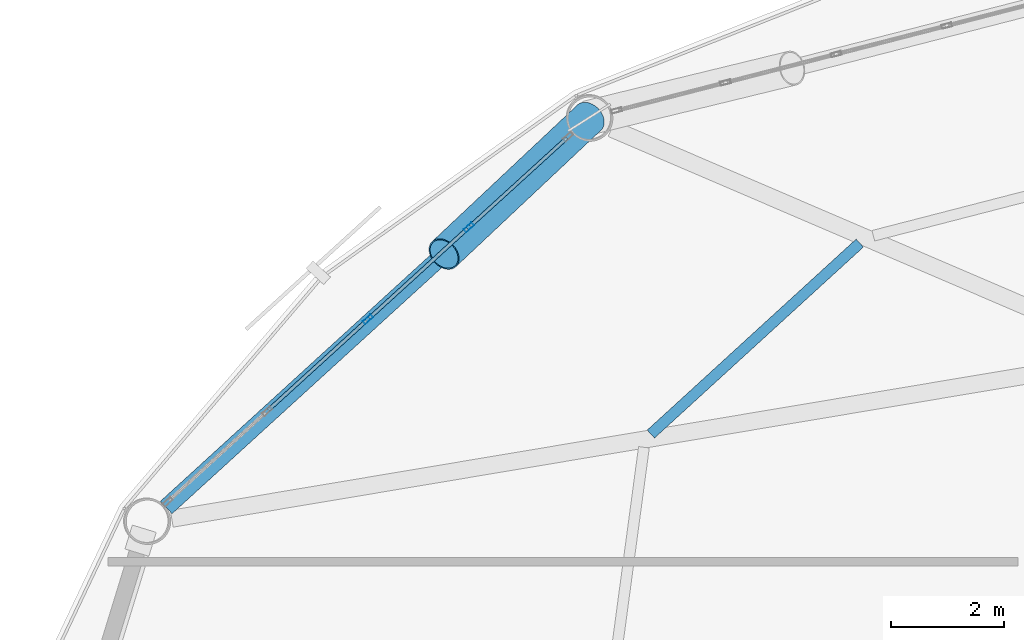
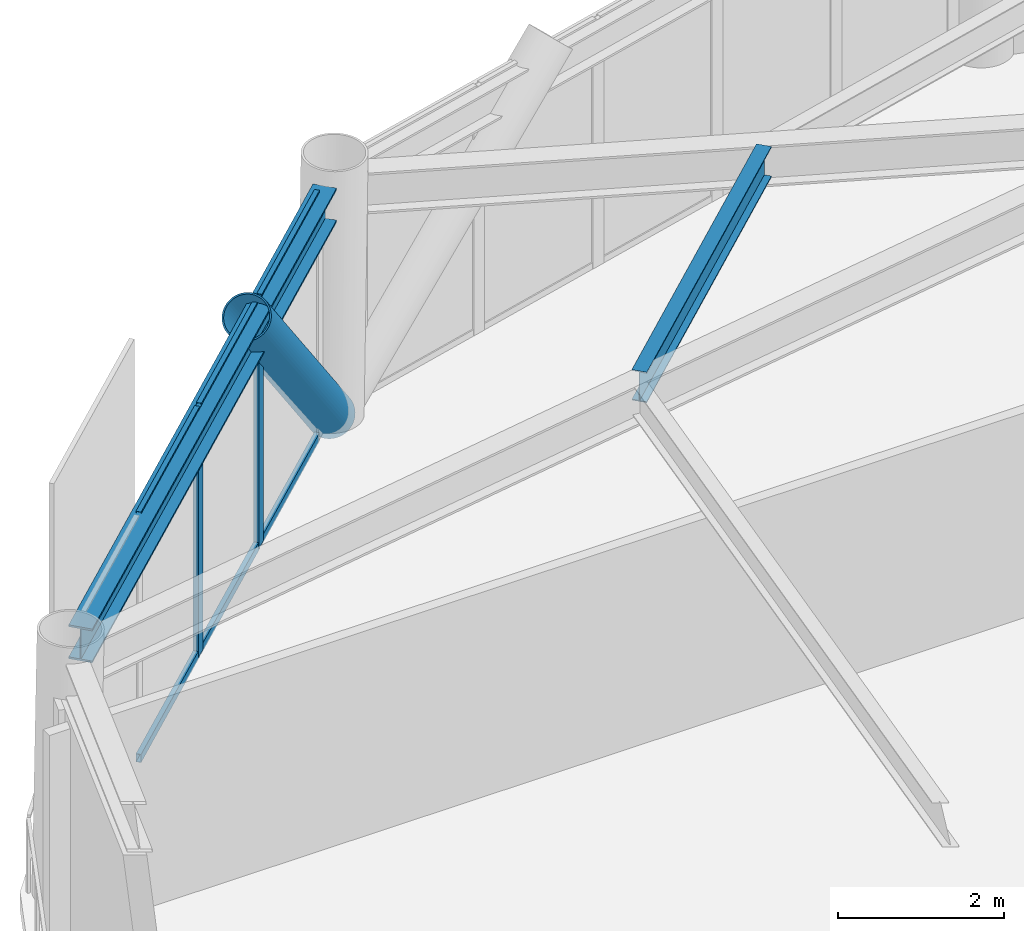
# One storey, part 15 of 24: 9 members, 2 beams, 1 element without a shape of its own.
"""IFC4 building model written with IfcOpenShell, lengths in metres."""

from ifc_helpers import new_model, si_unit, direction, frame, origin, origin_2d, place, context, subcontext, project, spatial, hollow_rectangle, hollow_circle, i_section, extrude, material, layer, layer_set, material_profile, profile_set, type_object, element, aggregate, save


model = new_model("IFC4")

# Units and contexts
model_context = context("Model", 3, precision=1e-05, world=origin(), true_north=direction((0.0, 1.0)))
body_context = subcontext(model_context, "Body", "Model", "MODEL_VIEW")
ifc_project = project(units=[si_unit("LENGTHUNIT", "METRE"), si_unit("AREAUNIT", "SQUARE_METRE"), si_unit("VOLUMEUNIT", "CUBIC_METRE"), si_unit("PLANEANGLEUNIT", "RADIAN"), si_unit("MASSUNIT", "GRAM", prefix="KILO")], contexts=[model_context])

# Site, building, storey
site_placement = place(None, origin())
site = spatial("IfcSite", under=ifc_project, at=site_placement, CompositionType="ELEMENT")
building_placement = place(site_placement, origin())
building = spatial("IfcBuilding", under=site, at=building_placement, Name="Varnakorn Sky Granary", CompositionType="ELEMENT")
storey_placement = place(building_placement, frame((0.0, 0.0, 111.0)))
storey = spatial("IfcBuildingStorey", under=building, at=storey_placement, Name="L27", CompositionType="ELEMENT", Elevation=111.0)

# Beams
ifc_material_1 = material(Name="Steel S355JR", Category="steel")
ifc_material_profile_1 = material_profile(ifc_material_1, i_section(OverallWidth=0.18994140625, OverallDepth=0.449951171875, WebThickness=0.009521484375, FlangeThickness=0.0146484375, at=origin_2d()), Name="IPE 450")
ifc_profile_set_1 = profile_set([ifc_material_profile_1], Name="Steel S355JR")
beam_type_1 = type_object("IfcBeamType", Name="BM-SEC-Z2", PredefinedType="BEAM", material=ifc_profile_set_1)
beam_1_placement = place(storey_placement, frame((-7.388427734375, 14.61376953125, 3.4150390625), z_axis=(-0.738126274963, -0.67466258397, 0.0), x_axis=(0.67466258397, -0.738126274963, 0.0)))
element("IfcBeam", 1, at=beam_1_placement, inside=storey, type_object=beam_type_1, Name="Secondary Floor Chord Beam MSB05 L27", PredefinedType="BEAM", context=body_context, shape_type="SweptSolid", body=[
    extrude(i_section(OverallWidth=0.18994140625, OverallDepth=0.449951171875, WebThickness=0.009521484375, FlangeThickness=0.0146484375, at=origin_2d()), origin(), (0.0, 0.0, 1.0), 4.989501953125),
])
ifc_material_profile_2 = material_profile(ifc_material_1, i_section(OverallWidth=0.300048828125, OverallDepth=0.5, WebThickness=0.014404296875, FlangeThickness=0.028076171875, at=origin_2d()), Name="HE 500 B")
ifc_profile_set_2 = profile_set([ifc_material_profile_2], Name="Steel S355JR")
beam_type_2 = type_object("IfcBeamType", Name="BM-SPD-Z2", PredefinedType="SPANDREL", material=ifc_profile_set_2)
beam_2_placement = place(storey_placement, frame((-12.4130859375, 16.521484375, 3.389892578125), z_axis=(-0.738808701246, -0.673915204579, 0.0), x_axis=(0.673915204579, -0.738808701246, 0.0)))
element("IfcBeam", 2, at=beam_2_placement, inside=storey, type_object=beam_type_2, Name="Perimeter Spandrel Ring Beam RB05 L27", PredefinedType="SPANDREL", context=body_context, shape_type="SweptSolid", body=[
    extrude(i_section(OverallWidth=0.300048828125, OverallDepth=0.5, WebThickness=0.014404296875, FlangeThickness=0.028076171875, at=origin_2d()), origin(), (0.0, 0.0, 1.0), 9.744140625),
])

# Curtain wall, members
ifc_material_2 = material(Name="Anodised Bronze Aluminium Alloy 6063-T6", Category="aluminium")
ifc_layer = layer(ifc_material_2, 0.179931640625, Name="Anodised Bronze Aluminium Alloy 6063-T6")
ifc_layer_set = layer_set([ifc_layer], Name="Anodised Bronze Aluminium Alloy 6063-T6")
curtain_wall_type = type_object("IfcCurtainWallType", Name="CW-FRM-2", PredefinedType="USERDEFINED", material=ifc_layer_set)
curtain_wall_placement = place(storey_placement, origin())
curtain_wall = element("IfcCurtainWall", 3, at=curtain_wall_placement, inside=storey, type_object=curtain_wall_type, Name="Unitised Curtain Wall CW4 CW-L27-B05", ObjectType="CURTAIN WALL", PredefinedType="USERDEFINED")
ifc_material_profile_3 = material_profile(ifc_material_2, hollow_rectangle(XDim=0.070068359375, YDim=0.18505859375, WallThickness=0.00390625, at=origin_2d()), Name="ALU MULL 70x185")
ifc_profile_set_3 = profile_set([ifc_material_profile_3], Name="Anodised Bronze Aluminium Alloy 6063-T6")
member_type_1 = type_object("IfcMemberType", Name="CW-FRM-2-MULL", PredefinedType="MULLION", material=ifc_profile_set_3)
member_1_placement = place(storey_placement, frame((-16.058349609375, 13.270263671875, 0.0), z_axis=(0.0, 0.0, 1.0), x_axis=(-0.673654386152, 0.739046526287, 0.0)))
member_1 = element("IfcMember", 4, at=member_1_placement, type_object=member_type_1, Name="CW4 mullion 3", PredefinedType="MULLION", context=body_context, shape_type="SweptSolid", body=[
    extrude(hollow_rectangle(XDim=0.070068359375, YDim=0.18505859375, WallThickness=0.00390625, at=origin_2d()), origin(), (0.0, 0.0, 1.0), 3.639892578125),
])
member_2_placement = place(storey_placement, frame((-14.2802734375, 14.890869140625, 0.0), z_axis=(0.0, 0.0, 1.0), x_axis=(-0.673654386152, 0.739046526287, 0.0)))
member_2 = element("IfcMember", 5, at=member_2_placement, type_object=member_type_1, Name="CW4 mullion 4", PredefinedType="MULLION", context=body_context, shape_type="SweptSolid", body=[
    extrude(hollow_rectangle(XDim=0.070068359375, YDim=0.18505859375, WallThickness=0.00390625, at=origin_2d()), origin(), (0.0, 0.0, 1.0), 3.639892578125),
])
ifc_material_profile_4 = material_profile(ifc_material_2, hollow_rectangle(XDim=0.06494140625, YDim=0.1201171875, WallThickness=0.00341796875, at=origin_2d()), Name="ALU TRAN 65x120")
ifc_profile_set_4 = profile_set([ifc_material_profile_4], Name="Anodised Bronze Aluminium Alloy 6063-T6")
member_type_2 = type_object("IfcMemberType", Name="CW-FRM-2-TRAN", PredefinedType="USERDEFINED", material=ifc_profile_set_4)
member_3_placement = place(storey_placement, frame((-17.810546875, 11.673095703125, 0.032470703125), z_axis=(0.739064502056, 0.673634664934, 0.0), x_axis=(-0.673634664934, 0.739064502056, 0.0)))
member_3 = element("IfcMember", 6, at=member_3_placement, type_object=member_type_2, Name="CW4 transom 2.1", ObjectType="TRANSOM", PredefinedType="USERDEFINED", context=body_context, shape_type="SweptSolid", body=[
    extrude(hollow_rectangle(XDim=0.06494140625, YDim=0.1201171875, WallThickness=0.00341796875, at=origin_2d()), origin(), (0.0, 0.0, 1.0), 2.3359375),
])
member_4_placement = place(storey_placement, frame((-17.810546875, 11.673095703125, 3.607421875), z_axis=(0.739064502056, 0.673634664934, 0.0), x_axis=(-0.673634664934, 0.739064502056, 0.0)))
member_4 = element("IfcMember", 7, at=member_4_placement, type_object=member_type_2, Name="CW4 transom 2.2", ObjectType="TRANSOM", PredefinedType="USERDEFINED", context=body_context, shape_type="SweptSolid", body=[
    extrude(hollow_rectangle(XDim=0.06494140625, YDim=0.1201171875, WallThickness=0.00341796875, at=origin_2d()), origin(), (0.0, 0.0, 1.0), 2.3359375),
])
member_5_placement = place(storey_placement, frame((-16.032470703125, 13.2939453125, 0.032470703125), z_axis=(0.739064502056, 0.673634664934, 0.0), x_axis=(-0.673634664934, 0.739064502056, 0.0)))
member_5 = element("IfcMember", 8, at=member_5_placement, type_object=member_type_2, Name="CW4 transom 3.1", ObjectType="TRANSOM", PredefinedType="USERDEFINED", context=body_context, shape_type="SweptSolid", body=[
    extrude(hollow_rectangle(XDim=0.06494140625, YDim=0.1201171875, WallThickness=0.00341796875, at=origin_2d()), origin(), (0.0, 0.0, 1.0), 2.3359375),
])
member_6_placement = place(storey_placement, frame((-16.032470703125, 13.2939453125, 3.607421875), z_axis=(0.739064502056, 0.673634664934, 0.0), x_axis=(-0.673634664934, 0.739064502056, 0.0)))
member_6 = element("IfcMember", 9, at=member_6_placement, type_object=member_type_2, Name="CW4 transom 3.2", ObjectType="TRANSOM", PredefinedType="USERDEFINED", context=body_context, shape_type="SweptSolid", body=[
    extrude(hollow_rectangle(XDim=0.06494140625, YDim=0.1201171875, WallThickness=0.00341796875, at=origin_2d()), origin(), (0.0, 0.0, 1.0), 2.3359375),
])
member_7_placement = place(storey_placement, frame((-14.25439453125, 14.91455078125, 0.032470703125), z_axis=(0.739031973261, 0.673670351506, 0.0), x_axis=(-0.673670351506, 0.739031973261, 0.0)))
member_7 = element("IfcMember", 10, at=member_7_placement, type_object=member_type_2, Name="CW4 transom 4.1", ObjectType="TRANSOM", PredefinedType="USERDEFINED", context=body_context, shape_type="SweptSolid", body=[
    extrude(hollow_rectangle(XDim=0.06494140625, YDim=0.1201171875, WallThickness=0.00341796875, at=origin_2d()), origin(), (0.0, 0.0, 1.0), 2.30078125),
])
member_8_placement = place(storey_placement, frame((-14.25439453125, 14.91455078125, 3.607421875), z_axis=(0.739031973261, 0.673670351506, 0.0), x_axis=(-0.673670351506, 0.739031973261, 0.0)))
member_8 = element("IfcMember", 11, at=member_8_placement, type_object=member_type_2, Name="CW4 transom 4.2", ObjectType="TRANSOM", PredefinedType="USERDEFINED", context=body_context, shape_type="SweptSolid", body=[
    extrude(hollow_rectangle(XDim=0.06494140625, YDim=0.1201171875, WallThickness=0.00341796875, at=origin_2d()), origin(), (0.0, 0.0, 1.0), 2.30078125),
])
aggregate(curtain_wall, [member_1, member_2, member_3, member_4, member_5, member_6, member_7, member_8])

# Member
ifc_material_3 = material(Name="Steel S460M", Category="steel")
ifc_material_profile_5 = material_profile(ifc_material_3, hollow_circle(Radius=0.304931640625, WallThickness=0.022216796875, at=origin_2d()), Name="CHS 610x22")
ifc_profile_set_5 = profile_set([ifc_material_profile_5], Name="Steel S460M")
member_type_3 = type_object("IfcMemberType", Name="MB-DIAG-T1", PredefinedType="BRACE", material=ifc_profile_set_5)
member_9_placement = place(storey_placement, frame((-12.157470703125, 16.825927734375, 0.0), z_axis=(-0.495220752272, -0.465548141602, 0.733499375848), x_axis=(0.684941747241, -0.728597833435, 0.0)))
element("IfcMember", 12, at=member_9_placement, inside=storey, type_object=member_type_3, Name="Perimeter CHS Diagrid Brace DG05 L27", PredefinedType="BRACE", context=body_context, shape_type="SweptSolid", body=[
    extrude(hollow_circle(Radius=0.304931640625, WallThickness=0.022216796875, at=origin_2d()), origin(), (0.0, 0.0, 1.0), 5.1669921875),
])

save(model, "model.ifc")
